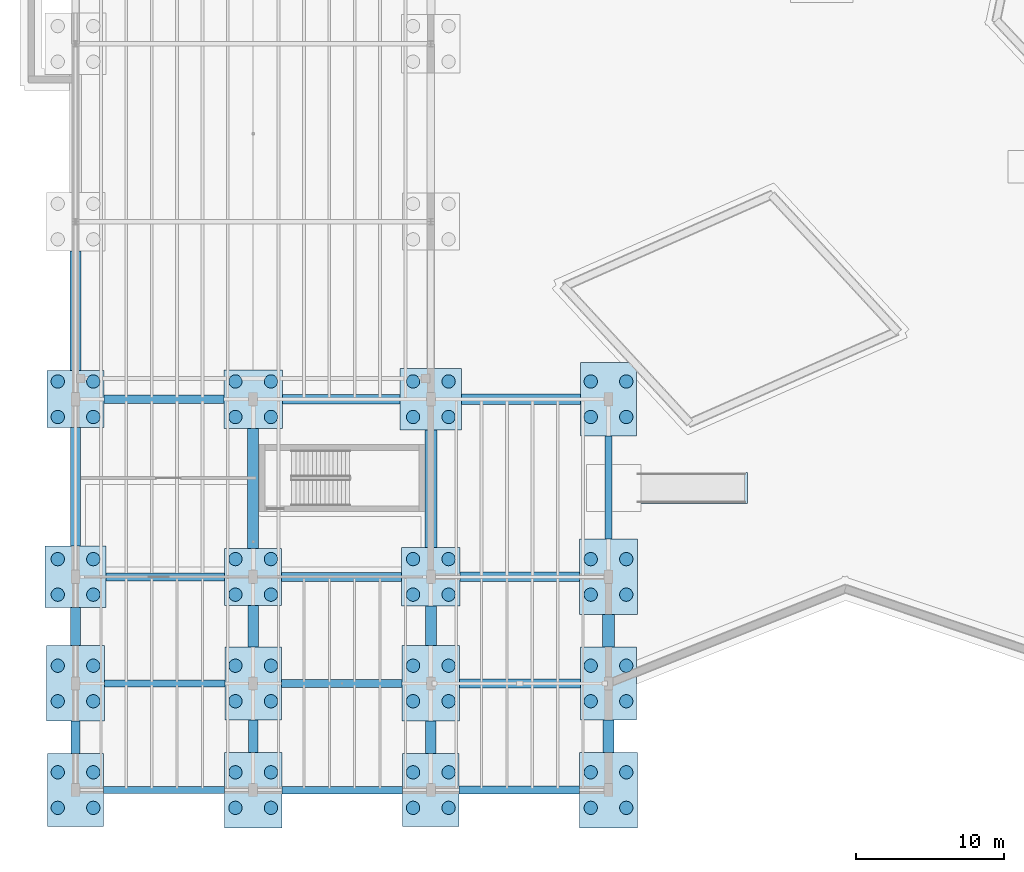
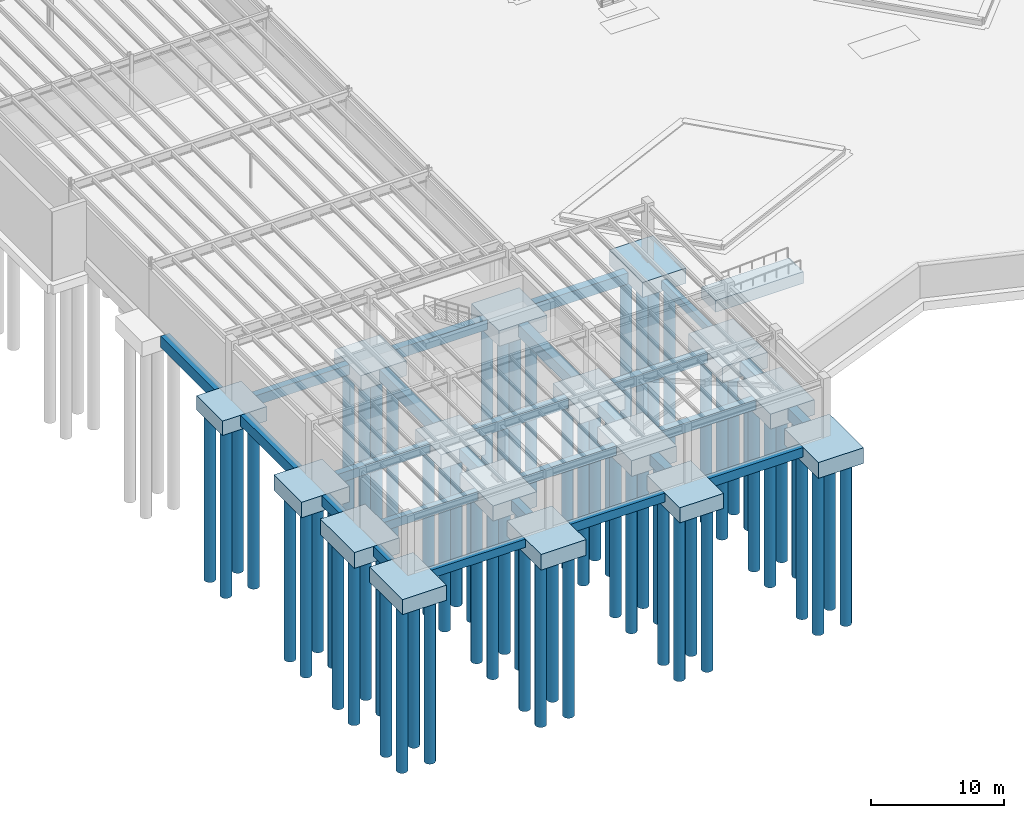
# One storey, part 1 of 67: 64 piles, 42 footings.
"""IFC4 building model written with IfcOpenShell, lengths in metres."""

from ifc_helpers import new_model, si_unit, direction, frame, origin, origin_2d, place, context, subcontext, project, spatial, polyline, rectangle, circle, outline, extrude, material, material_profile, profile_set, type_object, element, save


model = new_model("IFC4")

# Units and contexts
model_context = context("Model", 3, precision=1e-05, world=origin(), true_north=direction((0.0, 1.0)))
body_context = subcontext(model_context, "Body", "Model", "MODEL_VIEW")
ifc_project = project(units=[si_unit("LENGTHUNIT", "METRE"), si_unit("AREAUNIT", "SQUARE_METRE"), si_unit("VOLUMEUNIT", "CUBIC_METRE"), si_unit("PLANEANGLEUNIT", "RADIAN"), si_unit("MASSUNIT", "GRAM", prefix="KILO")], contexts=[model_context])

# Site, building, storey
site_placement = place(None, origin())
site = spatial("IfcSite", under=ifc_project, at=site_placement, CompositionType="ELEMENT")
building_placement = place(site_placement, origin())
building = spatial("IfcBuilding", under=site, at=building_placement, Name="Zlatogorsky Bluff Art Gallery", CompositionType="ELEMENT")
storey_placement = place(building_placement, frame((0.0, 0.0, -5.39990234375)))
storey = spatial("IfcBuildingStorey", under=building, at=storey_placement, Name="B1", CompositionType="ELEMENT", Elevation=-5.39990234375)

# Piles
ifc_material = material(Name="Concrete C35/45", Category="concrete")
ifc_material_profile = material_profile(ifc_material, circle(Radius=0.449951171875, at=origin_2d()), Name="BORED PILE D900")
ifc_profile_set = profile_set([ifc_material_profile], Name="Concrete C35/45")
pile_type = type_object("IfcPileType", Name="Bored Pile D900 C35/45", PredefinedType="BORED", material=ifc_profile_set)
for number, where, z_axis, x_axis, name in (
    (1, (-1.199951171875, -1.199951171875, -1.68017578125), (0.0, 0.0, -1.0), (1.0, 0.0, 0.0), "Bored pile PL-01 00.00.1"),
    (2, (-1.199951171875, 1.199951171875, -1.68017578125), (0.0, 0.0, -1.0), (1.0, 0.0, 0.0), "Bored pile PL-01 00.00.2"),
    (3, (1.199951171875, -1.199951171875, -1.68017578125), (0.0, 0.0, -1.0), (1.0, 0.0, 0.0), "Bored pile PL-01 00.00.3"),
    (4, (1.199951171875, 1.199951171875, -1.68017578125), (0.0, 0.0, -1.0), (1.0, 0.0, 0.0), "Bored pile PL-01 00.00.4"),
):
    element("IfcPile", number, at=place(storey_placement, frame(where, z_axis=z_axis, x_axis=x_axis)), inside=storey, type_object=pile_type, Name=name, PredefinedType="BORED", context=body_context, shape_type="SweptSolid", body=[
        extrude(circle(Radius=0.449951171875, at=origin_2d()), origin(), (0.0, 0.0, 1.0), 15.320068359375),
    ])
for number, where, z_axis, x_axis, name in (
    (5, (-1.199951171875, 6.0, -1.739990234375), (0.0, 0.0, -1.0), (1.0, 0.0, 0.0), "Bored pile PL-01 00.01.1"),
    (6, (-1.199951171875, 8.39990234375, -1.739990234375), (0.0, 0.0, -1.0), (1.0, 0.0, 0.0), "Bored pile PL-01 00.01.2"),
    (7, (1.199951171875, 6.0, -1.739990234375), (0.0, 0.0, -1.0), (1.0, 0.0, 0.0), "Bored pile PL-01 00.01.3"),
    (8, (1.199951171875, 8.39990234375, -1.739990234375), (0.0, 0.0, -1.0), (1.0, 0.0, 0.0), "Bored pile PL-01 00.01.4"),
):
    element("IfcPile", number, at=place(storey_placement, frame(where, z_axis=z_axis, x_axis=x_axis)), inside=storey, type_object=pile_type, Name=name, PredefinedType="BORED", context=body_context, shape_type="SweptSolid", body=[
        extrude(circle(Radius=0.449951171875, at=origin_2d()), origin(), (0.0, 0.0, 1.0), 15.260009765625),
    ])
for number, where, z_axis, x_axis, name in (
    (9, (-1.199951171875, 13.199951171875, -1.72021484375), (0.0, 0.0, -1.0), (1.0, 0.0, 0.0), "Bored pile PL-01 00.02.1"),
    (10, (-1.199951171875, 15.60009765625, -1.72021484375), (0.0, 0.0, -1.0), (1.0, 0.0, 0.0), "Bored pile PL-01 00.02.2"),
    (11, (1.199951171875, 13.199951171875, -1.72021484375), (0.0, 0.0, -1.0), (1.0, 0.0, 0.0), "Bored pile PL-01 00.02.3"),
    (12, (1.199951171875, 15.60009765625, -1.72021484375), (0.0, 0.0, -1.0), (1.0, 0.0, 0.0), "Bored pile PL-01 00.02.4"),
):
    element("IfcPile", number, at=place(storey_placement, frame(where, z_axis=z_axis, x_axis=x_axis)), inside=storey, type_object=pile_type, Name=name, PredefinedType="BORED", context=body_context, shape_type="SweptSolid", body=[
        extrude(circle(Radius=0.449951171875, at=origin_2d()), origin(), (0.0, 0.0, 1.0), 15.280029296875),
    ])
for number, where, z_axis, x_axis, name in (
    (13, (-1.199951171875, 25.199951171875, -1.6201171875), (0.0, 0.0, -1.0), (1.0, 0.0, 0.0), "Bored pile PL-01 00.03.1"),
    (14, (-1.199951171875, 27.60009765625, -1.6201171875), (0.0, 0.0, -1.0), (1.0, 0.0, 0.0), "Bored pile PL-01 00.03.2"),
    (15, (1.199951171875, 25.199951171875, -1.6201171875), (0.0, 0.0, -1.0), (1.0, 0.0, 0.0), "Bored pile PL-01 00.03.3"),
    (16, (1.199951171875, 27.60009765625, -1.6201171875), (0.0, 0.0, -1.0), (1.0, 0.0, 0.0), "Bored pile PL-01 00.03.4"),
):
    element("IfcPile", number, at=place(storey_placement, frame(where, z_axis=z_axis, x_axis=x_axis)), inside=storey, type_object=pile_type, Name=name, PredefinedType="BORED", context=body_context, shape_type="SweptSolid", body=[
        extrude(circle(Radius=0.449951171875, at=origin_2d()), origin(), (0.0, 0.0, 1.0), 15.3798828125),
    ])
for number, where, z_axis, x_axis, name in (
    (17, (10.800048828125, -1.199951171875, -1.739990234375), (0.0, 0.0, -1.0), (1.0, 0.0, 0.0), "Bored pile PL-01 01.00.1"),
    (18, (10.800048828125, 1.199951171875, -1.739990234375), (0.0, 0.0, -1.0), (1.0, 0.0, 0.0), "Bored pile PL-01 01.00.2"),
    (19, (13.199951171875, -1.199951171875, -1.739990234375), (0.0, 0.0, -1.0), (1.0, 0.0, 0.0), "Bored pile PL-01 01.00.3"),
    (20, (13.199951171875, 1.199951171875, -1.739990234375), (0.0, 0.0, -1.0), (1.0, 0.0, 0.0), "Bored pile PL-01 01.00.4"),
):
    element("IfcPile", number, at=place(storey_placement, frame(where, z_axis=z_axis, x_axis=x_axis)), inside=storey, type_object=pile_type, Name=name, PredefinedType="BORED", context=body_context, shape_type="SweptSolid", body=[
        extrude(circle(Radius=0.449951171875, at=origin_2d()), origin(), (0.0, 0.0, 1.0), 15.260009765625),
    ])
for number, where, z_axis, x_axis, name in (
    (21, (10.800048828125, 6.0, -1.68017578125), (0.0, 0.0, -1.0), (1.0, 0.0, 0.0), "Bored pile PL-01 01.01.1"),
    (22, (10.800048828125, 8.39990234375, -1.68017578125), (0.0, 0.0, -1.0), (1.0, 0.0, 0.0), "Bored pile PL-01 01.01.2"),
    (23, (13.199951171875, 6.0, -1.68017578125), (0.0, 0.0, -1.0), (1.0, 0.0, 0.0), "Bored pile PL-01 01.01.3"),
    (24, (13.199951171875, 8.39990234375, -1.68017578125), (0.0, 0.0, -1.0), (1.0, 0.0, 0.0), "Bored pile PL-01 01.01.4"),
):
    element("IfcPile", number, at=place(storey_placement, frame(where, z_axis=z_axis, x_axis=x_axis)), inside=storey, type_object=pile_type, Name=name, PredefinedType="BORED", context=body_context, shape_type="SweptSolid", body=[
        extrude(circle(Radius=0.449951171875, at=origin_2d()), origin(), (0.0, 0.0, 1.0), 15.320068359375),
    ])
for number, where, z_axis, x_axis, name in (
    (25, (10.800048828125, 13.199951171875, -1.6201171875), (0.0, 0.0, -1.0), (1.0, 0.0, 0.0), "Bored pile PL-01 01.02.1"),
    (26, (10.800048828125, 15.60009765625, -1.6201171875), (0.0, 0.0, -1.0), (1.0, 0.0, 0.0), "Bored pile PL-01 01.02.2"),
    (27, (13.199951171875, 13.199951171875, -1.6201171875), (0.0, 0.0, -1.0), (1.0, 0.0, 0.0), "Bored pile PL-01 01.02.3"),
    (28, (13.199951171875, 15.60009765625, -1.6201171875), (0.0, 0.0, -1.0), (1.0, 0.0, 0.0), "Bored pile PL-01 01.02.4"),
):
    element("IfcPile", number, at=place(storey_placement, frame(where, z_axis=z_axis, x_axis=x_axis)), inside=storey, type_object=pile_type, Name=name, PredefinedType="BORED", context=body_context, shape_type="SweptSolid", body=[
        extrude(circle(Radius=0.449951171875, at=origin_2d()), origin(), (0.0, 0.0, 1.0), 15.3798828125),
    ])
for number, where, z_axis, x_axis, name in (
    (29, (10.800048828125, 25.199951171875, -1.66015625), (0.0, 0.0, -1.0), (1.0, 0.0, 0.0), "Bored pile PL-01 01.03.1"),
    (30, (10.800048828125, 27.60009765625, -1.66015625), (0.0, 0.0, -1.0), (1.0, 0.0, 0.0), "Bored pile PL-01 01.03.2"),
    (31, (13.199951171875, 25.199951171875, -1.66015625), (0.0, 0.0, -1.0), (1.0, 0.0, 0.0), "Bored pile PL-01 01.03.3"),
    (32, (13.199951171875, 27.60009765625, -1.66015625), (0.0, 0.0, -1.0), (1.0, 0.0, 0.0), "Bored pile PL-01 01.03.4"),
):
    element("IfcPile", number, at=place(storey_placement, frame(where, z_axis=z_axis, x_axis=x_axis)), inside=storey, type_object=pile_type, Name=name, PredefinedType="BORED", context=body_context, shape_type="SweptSolid", body=[
        extrude(circle(Radius=0.449951171875, at=origin_2d()), origin(), (0.0, 0.0, 1.0), 15.340087890625),
    ])
for number, where, z_axis, x_axis, name in (
    (33, (22.800048828125, -1.199951171875, -1.68017578125), (0.0, 0.0, -1.0), (1.0, 0.0, 0.0), "Bored pile PL-01 02.00.1"),
    (34, (22.800048828125, 1.199951171875, -1.68017578125), (0.0, 0.0, -1.0), (1.0, 0.0, 0.0), "Bored pile PL-01 02.00.2"),
    (35, (25.199951171875, -1.199951171875, -1.68017578125), (0.0, 0.0, -1.0), (1.0, 0.0, 0.0), "Bored pile PL-01 02.00.3"),
    (36, (25.199951171875, 1.199951171875, -1.68017578125), (0.0, 0.0, -1.0), (1.0, 0.0, 0.0), "Bored pile PL-01 02.00.4"),
):
    element("IfcPile", number, at=place(storey_placement, frame(where, z_axis=z_axis, x_axis=x_axis)), inside=storey, type_object=pile_type, Name=name, PredefinedType="BORED", context=body_context, shape_type="SweptSolid", body=[
        extrude(circle(Radius=0.449951171875, at=origin_2d()), origin(), (0.0, 0.0, 1.0), 15.320068359375),
    ])
for number, where, z_axis, x_axis, name in (
    (37, (22.800048828125, 6.0, -1.739990234375), (0.0, 0.0, -1.0), (1.0, 0.0, 0.0), "Bored pile PL-01 02.01.1"),
    (38, (22.800048828125, 8.39990234375, -1.739990234375), (0.0, 0.0, -1.0), (1.0, 0.0, 0.0), "Bored pile PL-01 02.01.2"),
    (39, (25.199951171875, 6.0, -1.739990234375), (0.0, 0.0, -1.0), (1.0, 0.0, 0.0), "Bored pile PL-01 02.01.3"),
    (40, (25.199951171875, 8.39990234375, -1.739990234375), (0.0, 0.0, -1.0), (1.0, 0.0, 0.0), "Bored pile PL-01 02.01.4"),
):
    element("IfcPile", number, at=place(storey_placement, frame(where, z_axis=z_axis, x_axis=x_axis)), inside=storey, type_object=pile_type, Name=name, PredefinedType="BORED", context=body_context, shape_type="SweptSolid", body=[
        extrude(circle(Radius=0.449951171875, at=origin_2d()), origin(), (0.0, 0.0, 1.0), 15.260009765625),
    ])
for number, where, z_axis, x_axis, name in (
    (41, (22.800048828125, 13.199951171875, -1.66015625), (0.0, 0.0, -1.0), (1.0, 0.0, 0.0), "Bored pile PL-01 02.02.1"),
    (42, (22.800048828125, 15.60009765625, -1.66015625), (0.0, 0.0, -1.0), (1.0, 0.0, 0.0), "Bored pile PL-01 02.02.2"),
    (43, (25.199951171875, 13.199951171875, -1.66015625), (0.0, 0.0, -1.0), (1.0, 0.0, 0.0), "Bored pile PL-01 02.02.3"),
    (44, (25.199951171875, 15.60009765625, -1.66015625), (0.0, 0.0, -1.0), (1.0, 0.0, 0.0), "Bored pile PL-01 02.02.4"),
):
    element("IfcPile", number, at=place(storey_placement, frame(where, z_axis=z_axis, x_axis=x_axis)), inside=storey, type_object=pile_type, Name=name, PredefinedType="BORED", context=body_context, shape_type="SweptSolid", body=[
        extrude(circle(Radius=0.449951171875, at=origin_2d()), origin(), (0.0, 0.0, 1.0), 15.340087890625),
    ])
for number, where, z_axis, x_axis, name in (
    (45, (22.800048828125, 25.199951171875, -1.72021484375), (0.0, 0.0, -1.0), (1.0, 0.0, 0.0), "Bored pile PL-01 02.03.1"),
    (46, (22.800048828125, 27.60009765625, -1.72021484375), (0.0, 0.0, -1.0), (1.0, 0.0, 0.0), "Bored pile PL-01 02.03.2"),
    (47, (25.199951171875, 25.199951171875, -1.72021484375), (0.0, 0.0, -1.0), (1.0, 0.0, 0.0), "Bored pile PL-01 02.03.3"),
    (48, (25.199951171875, 27.60009765625, -1.72021484375), (0.0, 0.0, -1.0), (1.0, 0.0, 0.0), "Bored pile PL-01 02.03.4"),
):
    element("IfcPile", number, at=place(storey_placement, frame(where, z_axis=z_axis, x_axis=x_axis)), inside=storey, type_object=pile_type, Name=name, PredefinedType="BORED", context=body_context, shape_type="SweptSolid", body=[
        extrude(circle(Radius=0.449951171875, at=origin_2d()), origin(), (0.0, 0.0, 1.0), 15.280029296875),
    ])
for number, where, z_axis, x_axis, name in (
    (49, (34.800048828125, -1.199951171875, -1.739990234375), (0.0, 0.0, -1.0), (1.0, 0.0, 0.0), "Bored pile PL-01 03.00.1"),
    (50, (34.800048828125, 1.199951171875, -1.739990234375), (0.0, 0.0, -1.0), (1.0, 0.0, 0.0), "Bored pile PL-01 03.00.2"),
    (51, (37.199951171875, -1.199951171875, -1.739990234375), (0.0, 0.0, -1.0), (1.0, 0.0, 0.0), "Bored pile PL-01 03.00.3"),
    (52, (37.199951171875, 1.199951171875, -1.739990234375), (0.0, 0.0, -1.0), (1.0, 0.0, 0.0), "Bored pile PL-01 03.00.4"),
):
    element("IfcPile", number, at=place(storey_placement, frame(where, z_axis=z_axis, x_axis=x_axis)), inside=storey, type_object=pile_type, Name=name, PredefinedType="BORED", context=body_context, shape_type="SweptSolid", body=[
        extrude(circle(Radius=0.449951171875, at=origin_2d()), origin(), (0.0, 0.0, 1.0), 15.260009765625),
    ])
for number, where, z_axis, x_axis, name in (
    (53, (34.800048828125, 6.0, -1.68017578125), (0.0, 0.0, -1.0), (1.0, 0.0, 0.0), "Bored pile PL-01 03.01.1"),
    (54, (34.800048828125, 8.39990234375, -1.68017578125), (0.0, 0.0, -1.0), (1.0, 0.0, 0.0), "Bored pile PL-01 03.01.2"),
    (55, (37.199951171875, 6.0, -1.68017578125), (0.0, 0.0, -1.0), (1.0, 0.0, 0.0), "Bored pile PL-01 03.01.3"),
    (56, (37.199951171875, 8.39990234375, -1.68017578125), (0.0, 0.0, -1.0), (1.0, 0.0, 0.0), "Bored pile PL-01 03.01.4"),
):
    element("IfcPile", number, at=place(storey_placement, frame(where, z_axis=z_axis, x_axis=x_axis)), inside=storey, type_object=pile_type, Name=name, PredefinedType="BORED", context=body_context, shape_type="SweptSolid", body=[
        extrude(circle(Radius=0.449951171875, at=origin_2d()), origin(), (0.0, 0.0, 1.0), 15.320068359375),
    ])
for number, where, z_axis, x_axis, name in (
    (57, (34.800048828125, 13.199951171875, -1.739990234375), (0.0, 0.0, -1.0), (1.0, 0.0, 0.0), "Bored pile PL-01 03.02.1"),
    (58, (34.800048828125, 15.60009765625, -1.739990234375), (0.0, 0.0, -1.0), (1.0, 0.0, 0.0), "Bored pile PL-01 03.02.2"),
    (59, (37.199951171875, 13.199951171875, -1.739990234375), (0.0, 0.0, -1.0), (1.0, 0.0, 0.0), "Bored pile PL-01 03.02.3"),
    (60, (37.199951171875, 15.60009765625, -1.739990234375), (0.0, 0.0, -1.0), (1.0, 0.0, 0.0), "Bored pile PL-01 03.02.4"),
):
    element("IfcPile", number, at=place(storey_placement, frame(where, z_axis=z_axis, x_axis=x_axis)), inside=storey, type_object=pile_type, Name=name, PredefinedType="BORED", context=body_context, shape_type="SweptSolid", body=[
        extrude(circle(Radius=0.449951171875, at=origin_2d()), origin(), (0.0, 0.0, 1.0), 15.260009765625),
    ])
for number, where, z_axis, x_axis, name in (
    (61, (34.800048828125, 25.199951171875, -1.280029296875), (0.0, 0.0, -1.0), (1.0, 0.0, 0.0), "Bored pile PL-01 03.03.1"),
    (62, (34.800048828125, 27.60009765625, -1.280029296875), (0.0, 0.0, -1.0), (1.0, 0.0, 0.0), "Bored pile PL-01 03.03.2"),
    (63, (37.199951171875, 25.199951171875, -1.280029296875), (0.0, 0.0, -1.0), (1.0, 0.0, 0.0), "Bored pile PL-01 03.03.3"),
    (64, (37.199951171875, 27.60009765625, -1.280029296875), (0.0, 0.0, -1.0), (1.0, 0.0, 0.0), "Bored pile PL-01 03.03.4"),
):
    element("IfcPile", number, at=place(storey_placement, frame(where, z_axis=z_axis, x_axis=x_axis)), inside=storey, type_object=pile_type, Name=name, PredefinedType="BORED", context=body_context, shape_type="SweptSolid", body=[
        extrude(circle(Radius=0.449951171875, at=origin_2d()), origin(), (0.0, 0.0, 1.0), 15.719970703125),
    ])

# Footings
footing_type_1 = type_object("IfcFootingType", Name="Foundation FB-01 450x750", PredefinedType="FOOTING_BEAM", material=ifc_material)
footing_1_placement = place(storey_placement, frame((0.0, 0.0, -1.150146484375)))
element("IfcFooting", 65, at=footing_1_placement, inside=storey, type_object=footing_type_1, Name="Ground tie beam FB-01 A-B/1", PredefinedType="FOOTING_BEAM", context=body_context, shape_type="SweptSolid", body=[
    extrude(outline(polyline([(1.89990234375, -0.22509765625), (10.050048828125, -0.22509765625), (10.050048828125, 0.22509765625), (1.89990234375, 0.22509765625), (1.89990234375, -0.22509765625)])), origin(), (0.0, 0.0, 1.0), 0.75),
])
footing_2_placement = place(storey_placement, frame((0.0, 0.0, -1.150146484375)))
element("IfcFooting", 66, at=footing_2_placement, inside=storey, type_object=footing_type_1, Name="Ground tie beam FB-01 D/3-4", PredefinedType="FOOTING_BEAM", context=body_context, shape_type="SweptSolid", body=[
    extrude(outline(polyline([(35.77490234375, 16.949951171875), (36.22509765625, 16.949951171875), (36.22509765625, 23.925048828125), (35.77490234375, 23.925048828125), (35.77490234375, 16.949951171875)])), origin(), (0.0, 0.0, 1.0), 0.75),
])
footing_type_2 = type_object("IfcFootingType", Name="Foundation FB-02 500x800", PredefinedType="FOOTING_BEAM", material=ifc_material)
footing_3_placement = place(storey_placement, frame((0.0, 0.0, -1.2001953125)))
element("IfcFooting", 67, at=footing_3_placement, inside=storey, type_object=footing_type_2, Name="Ground tie beam FB-02 A-B/2", PredefinedType="FOOTING_BEAM", context=body_context, shape_type="SweptSolid", body=[
    extrude(outline(polyline([(1.949951171875, 6.949951171875), (10.10009765625, 6.949951171875), (10.10009765625, 7.449951171875), (1.949951171875, 7.449951171875), (1.949951171875, 6.949951171875)])), origin(), (0.0, 0.0, 1.0), 0.800048828125),
])
footing_4_placement = place(storey_placement, frame((0.0, 0.0, -1.2001953125)))
element("IfcFooting", 68, at=footing_4_placement, inside=storey, type_object=footing_type_2, Name="Ground tie beam FB-02 B-C/1", PredefinedType="FOOTING_BEAM", context=body_context, shape_type="SweptSolid", body=[
    extrude(outline(polyline([(13.949951171875, -0.25), (22.10009765625, -0.25), (22.10009765625, 0.25), (13.949951171875, 0.25), (13.949951171875, -0.25)])), origin(), (0.0, 0.0, 1.0), 0.800048828125),
])
footing_type_3 = type_object("IfcFootingType", Name="Foundation FB-03 550x850", PredefinedType="FOOTING_BEAM", material=ifc_material)
footing_5_placement = place(storey_placement, frame((0.0, 0.0, -1.25)))
element("IfcFooting", 69, at=footing_5_placement, inside=storey, type_object=footing_type_3, Name="Ground tie beam FB-03 A-B/3", PredefinedType="FOOTING_BEAM", context=body_context, shape_type="SweptSolid", body=[
    extrude(outline(polyline([(2.074951171875, 14.125), (10.074951171875, 14.125), (10.074951171875, 14.675048828125), (2.074951171875, 14.675048828125), (2.074951171875, 14.125)])), origin(), (0.0, 0.0, 1.0), 0.849853515625),
])
footing_6_placement = place(storey_placement, frame((0.0, 0.0, -1.25)))
element("IfcFooting", 70, at=footing_6_placement, inside=storey, type_object=footing_type_3, Name="Ground tie beam FB-03 B-C/2", PredefinedType="FOOTING_BEAM", context=body_context, shape_type="SweptSolid", body=[
    extrude(outline(polyline([(13.89990234375, 6.925048828125), (22.050048828125, 6.925048828125), (22.050048828125, 7.47509765625), (13.89990234375, 7.47509765625), (13.89990234375, 6.925048828125)])), origin(), (0.0, 0.0, 1.0), 0.849853515625),
])
footing_7_placement = place(storey_placement, frame((0.0, 0.0, -1.25)))
element("IfcFooting", 71, at=footing_7_placement, inside=storey, type_object=footing_type_3, Name="Ground tie beam FB-03 C-D/1", PredefinedType="FOOTING_BEAM", context=body_context, shape_type="SweptSolid", body=[
    extrude(outline(polyline([(25.89990234375, -0.27490234375), (34.050048828125, -0.27490234375), (34.050048828125, 0.27490234375), (25.89990234375, 0.27490234375), (25.89990234375, -0.27490234375)])), origin(), (0.0, 0.0, 1.0), 0.849853515625),
])
footing_type_4 = type_object("IfcFootingType", Name="Foundation FB-04 600x900", PredefinedType="FOOTING_BEAM", material=ifc_material)
footing_8_placement = place(storey_placement, frame((0.0, 0.0, -1.300048828125)))
element("IfcFooting", 72, at=footing_8_placement, inside=storey, type_object=footing_type_4, Name="Ground tie beam FB-04 A/1-2", PredefinedType="FOOTING_BEAM", context=body_context, shape_type="SweptSolid", body=[
    extrude(outline(polyline([(-0.300048828125, 2.47509765625), (0.300048828125, 2.47509765625), (0.300048828125, 4.64990234375), (-0.300048828125, 4.64990234375), (-0.300048828125, 2.47509765625)])), origin(), (0.0, 0.0, 1.0), 0.89990234375),
])
footing_9_placement = place(storey_placement, frame((0.0, 0.0, -1.300048828125)))
element("IfcFooting", 73, at=footing_9_placement, inside=storey, type_object=footing_type_4, Name="Ground tie beam FB-04 A-B/4", PredefinedType="FOOTING_BEAM", context=body_context, shape_type="SweptSolid", body=[
    extrude(outline(polyline([(1.925048828125, 26.10009765625), (10.02490234375, 26.10009765625), (10.02490234375, 26.699951171875), (1.925048828125, 26.699951171875), (1.925048828125, 26.10009765625)])), origin(), (0.0, 0.0, 1.0), 0.89990234375),
])
footing_10_placement = place(storey_placement, frame((0.0, 0.0, -1.300048828125)))
element("IfcFooting", 74, at=footing_10_placement, inside=storey, type_object=footing_type_4, Name="Ground tie beam FB-04 B-C/3", PredefinedType="FOOTING_BEAM", context=body_context, shape_type="SweptSolid", body=[
    extrude(outline(polyline([(13.925048828125, 14.10009765625), (22.02490234375, 14.10009765625), (22.02490234375, 14.699951171875), (13.925048828125, 14.699951171875), (13.925048828125, 14.10009765625)])), origin(), (0.0, 0.0, 1.0), 0.89990234375),
])
footing_11_placement = place(storey_placement, frame((0.0, 0.0, -1.300048828125)))
element("IfcFooting", 75, at=footing_11_placement, inside=storey, type_object=footing_type_4, Name="Ground tie beam FB-04 C-D/2", PredefinedType="FOOTING_BEAM", context=body_context, shape_type="SweptSolid", body=[
    extrude(outline(polyline([(25.949951171875, 6.89990234375), (34.10009765625, 6.89990234375), (34.10009765625, 7.5), (25.949951171875, 7.5), (25.949951171875, 6.89990234375)])), origin(), (0.0, 0.0, 1.0), 0.89990234375),
])
footing_type_5 = type_object("IfcFootingType", Name="Foundation FB-05 650x950", PredefinedType="FOOTING_BEAM", material=ifc_material)
footing_12_placement = place(storey_placement, frame((0.0, 0.0, -1.35009765625)))
element("IfcFooting", 76, at=footing_12_placement, inside=storey, type_object=footing_type_5, Name="Ground tie beam FB-05 A/2-3", PredefinedType="FOOTING_BEAM", context=body_context, shape_type="SweptSolid", body=[
    extrude(outline(polyline([(-0.324951171875, 9.75), (0.324951171875, 9.75), (0.324951171875, 12.324951171875), (-0.324951171875, 12.324951171875), (-0.324951171875, 9.75)])), origin(), (0.0, 0.0, 1.0), 0.949951171875),
])
footing_13_placement = place(storey_placement, frame((0.0, 0.0, -1.35009765625)))
element("IfcFooting", 77, at=footing_13_placement, inside=storey, type_object=footing_type_5, Name="Ground tie beam FB-05 B/1-2", PredefinedType="FOOTING_BEAM", context=body_context, shape_type="SweptSolid", body=[
    extrude(outline(polyline([(11.675048828125, 2.550048828125), (12.324951171875, 2.550048828125), (12.324951171875, 4.72509765625), (11.675048828125, 4.72509765625), (11.675048828125, 2.550048828125)])), origin(), (0.0, 0.0, 1.0), 0.949951171875),
])
footing_14_placement = place(storey_placement, frame((0.0, 0.0, -1.35009765625)))
element("IfcFooting", 78, at=footing_14_placement, inside=storey, type_object=footing_type_5, Name="Ground tie beam FB-05 B-C/4", PredefinedType="FOOTING_BEAM", context=body_context, shape_type="SweptSolid", body=[
    extrude(outline(polyline([(13.97509765625, 26.074951171875), (21.925048828125, 26.074951171875), (21.925048828125, 26.72509765625), (13.97509765625, 26.72509765625), (13.97509765625, 26.074951171875)])), origin(), (0.0, 0.0, 1.0), 0.949951171875),
])
footing_15_placement = place(storey_placement, frame((0.0, 0.0, -1.35009765625)))
element("IfcFooting", 79, at=footing_15_placement, inside=storey, type_object=footing_type_5, Name="Ground tie beam FB-05 C-D/3", PredefinedType="FOOTING_BEAM", context=body_context, shape_type="SweptSolid", body=[
    extrude(outline(polyline([(25.97509765625, 14.074951171875), (34.050048828125, 14.074951171875), (34.050048828125, 14.72509765625), (25.97509765625, 14.72509765625), (25.97509765625, 14.074951171875)])), origin(), (0.0, 0.0, 1.0), 0.949951171875),
])
footing_type_6 = type_object("IfcFootingType", Name="Foundation FB-06 700x1000", PredefinedType="FOOTING_BEAM", material=ifc_material)
footing_16_placement = place(storey_placement, frame((0.0, 0.0, -1.400146484375)))
element("IfcFooting", 80, at=footing_16_placement, inside=storey, type_object=footing_type_6, Name="Ground tie beam FB-06 A/3-4", PredefinedType="FOOTING_BEAM", context=body_context, shape_type="SweptSolid", body=[
    extrude(outline(polyline([(-0.35009765625, 16.47509765625), (0.35009765625, 16.47509765625), (0.35009765625, 24.47509765625), (-0.35009765625, 24.47509765625), (-0.35009765625, 16.47509765625)])), origin(), (0.0, 0.0, 1.0), 1.0),
])
footing_17_placement = place(storey_placement, frame((0.0, 0.0, -1.400146484375)))
element("IfcFooting", 81, at=footing_17_placement, inside=storey, type_object=footing_type_6, Name="Ground tie beam FB-06 B/2-3", PredefinedType="FOOTING_BEAM", context=body_context, shape_type="SweptSolid", body=[
    extrude(outline(polyline([(11.64990234375, 9.675048828125), (12.35009765625, 9.675048828125), (12.35009765625, 12.47509765625), (11.64990234375, 12.47509765625), (11.64990234375, 9.675048828125)])), origin(), (0.0, 0.0, 1.0), 1.0),
])
footing_18_placement = place(storey_placement, frame((0.0, 0.0, -1.400146484375)))
element("IfcFooting", 82, at=footing_18_placement, inside=storey, type_object=footing_type_6, Name="Ground tie beam FB-06 C/1-2", PredefinedType="FOOTING_BEAM", context=body_context, shape_type="SweptSolid", body=[
    extrude(outline(polyline([(23.64990234375, 2.47509765625), (24.35009765625, 2.47509765625), (24.35009765625, 4.64990234375), (23.64990234375, 4.64990234375), (23.64990234375, 2.47509765625)])), origin(), (0.0, 0.0, 1.0), 1.0),
])
footing_19_placement = place(storey_placement, frame((0.0, 0.0, -1.400146484375)))
element("IfcFooting", 83, at=footing_19_placement, inside=storey, type_object=footing_type_6, Name="Ground tie beam FB-06 C-D/4", PredefinedType="FOOTING_BEAM", context=body_context, shape_type="SweptSolid", body=[
    extrude(outline(polyline([(26.074951171875, 26.050048828125), (34.10009765625, 26.050048828125), (34.10009765625, 26.75), (26.074951171875, 26.75), (26.074951171875, 26.050048828125)])), origin(), (0.0, 0.0, 1.0), 1.0),
])
footing_type_7 = type_object("IfcFootingType", Name="Foundation FB-07 750x1050", PredefinedType="FOOTING_BEAM", material=ifc_material)
footing_20_placement = place(storey_placement, frame((0.0, 0.0, -1.4501953125)))
element("IfcFooting", 84, at=footing_20_placement, inside=storey, type_object=footing_type_7, Name="Ground tie beam FB-07 A/4-5", PredefinedType="FOOTING_BEAM", context=body_context, shape_type="SweptSolid", body=[
    extrude(outline(polyline([(-0.375, 28.324951171875), (0.375, 28.324951171875), (0.375, 36.425048828125), (-0.375, 36.425048828125), (-0.375, 28.324951171875)])), origin(), (0.0, 0.0, 1.0), 1.050048828125),
])
footing_21_placement = place(storey_placement, frame((0.0, 0.0, -1.4501953125)))
element("IfcFooting", 85, at=footing_21_placement, inside=storey, type_object=footing_type_7, Name="Ground tie beam FB-07 B/3-4", PredefinedType="FOOTING_BEAM", context=body_context, shape_type="SweptSolid", body=[
    extrude(outline(polyline([(11.625, 16.324951171875), (12.375, 16.324951171875), (12.375, 24.425048828125), (11.625, 24.425048828125), (11.625, 16.324951171875)])), origin(), (0.0, 0.0, 1.0), 1.050048828125),
])
footing_22_placement = place(storey_placement, frame((0.0, 0.0, -1.4501953125)))
element("IfcFooting", 86, at=footing_22_placement, inside=storey, type_object=footing_type_7, Name="Ground tie beam FB-07 C/2-3", PredefinedType="FOOTING_BEAM", context=body_context, shape_type="SweptSolid", body=[
    extrude(outline(polyline([(23.625, 9.75), (24.375, 9.75), (24.375, 12.425048828125), (23.625, 12.425048828125), (23.625, 9.75)])), origin(), (0.0, 0.0, 1.0), 1.050048828125),
])
footing_23_placement = place(storey_placement, frame((0.0, 0.0, -1.4501953125)))
element("IfcFooting", 87, at=footing_23_placement, inside=storey, type_object=footing_type_7, Name="Ground tie beam FB-07 D/1-2", PredefinedType="FOOTING_BEAM", context=body_context, shape_type="SweptSolid", body=[
    extrude(outline(polyline([(35.625, 2.550048828125), (36.375, 2.550048828125), (36.375, 4.72509765625), (35.625, 4.72509765625), (35.625, 2.550048828125)])), origin(), (0.0, 0.0, 1.0), 1.050048828125),
])
footing_type_8 = type_object("IfcFootingType", Name="Foundation FB-08 800x1100", PredefinedType="FOOTING_BEAM", material=ifc_material)
footing_24_placement = place(storey_placement, frame((0.0, 0.0, -1.5)))
element("IfcFooting", 88, at=footing_24_placement, inside=storey, type_object=footing_type_8, Name="Ground tie beam FB-08 C/3-4", PredefinedType="FOOTING_BEAM", context=body_context, shape_type="SweptSolid", body=[
    extrude(outline(polyline([(23.60009765625, 16.375), (24.39990234375, 16.375), (24.39990234375, 24.324951171875), (23.60009765625, 24.324951171875), (23.60009765625, 16.375)])), origin(), (0.0, 0.0, 1.0), 1.099853515625),
])
footing_25_placement = place(storey_placement, frame((0.0, 0.0, -1.5)))
element("IfcFooting", 89, at=footing_25_placement, inside=storey, type_object=footing_type_8, Name="Ground tie beam FB-08 D/2-3", PredefinedType="FOOTING_BEAM", context=body_context, shape_type="SweptSolid", body=[
    extrude(outline(polyline([(35.60009765625, 9.675048828125), (36.39990234375, 9.675048828125), (36.39990234375, 11.85009765625), (35.60009765625, 11.85009765625), (35.60009765625, 9.675048828125)])), origin(), (0.0, 0.0, 1.0), 1.099853515625),
])
footing_type_9 = type_object("IfcFootingType", Name="Pad Footing PF-12 2650x1900x850", PredefinedType="PAD_FOOTING", material=ifc_material)
footing_26_placement = place(storey_placement, frame((0.0, 0.0, -1.25)))
element("IfcFooting", 90, at=footing_26_placement, inside=storey, type_object=footing_type_9, Name="Sunken court ramp foundation pad 5", PredefinedType="PAD_FOOTING", context=body_context, shape_type="SweptSolid", body=[
    extrude(outline(polyline([(37.800048828125, 19.35009765625), (45.39990234375, 19.35009765625), (45.39990234375, 21.449951171875), (37.800048828125, 21.449951171875), (37.800048828125, 19.35009765625)])), origin(), (0.0, 0.0, 1.0), 1.06982421875),
])
footing_type_10 = type_object("IfcFootingType", Name="Pile Cap PC-09 3850x3850x1320", PredefinedType="PILE_CAP", material=ifc_material)
for number, where, z_axis, x_axis, name in (
    (91, (0.0, 26.39990234375, -1.72021484375), (0.0, 0.0, 1.0), (1.0, 0.0, 0.0), "Pile cap PC-09 at A4"),
    (92, (12.0, 14.39990234375, -1.72021484375), (0.0, 0.0, 1.0), (1.0, 0.0, 0.0), "Pile cap PC-09 at B3"),
):
    element("IfcFooting", number, at=place(storey_placement, frame(where, z_axis=z_axis, x_axis=x_axis)), inside=storey, type_object=footing_type_10, Name=name, PredefinedType="PILE_CAP", context=body_context, shape_type="SweptSolid", body=[
        extrude(rectangle(XDim=3.85009765625, YDim=3.85009765625, at=origin_2d()), origin(), (0.0, 0.0, 1.0), 1.320068359375),
    ])
footing_type_11 = type_object("IfcFootingType", Name="Pile Cap PC-10 3950x3950x1360", PredefinedType="PILE_CAP", material=ifc_material)
for number, where, z_axis, x_axis, name in (
    (93, (12.0, 26.39990234375, -1.76025390625), (0.0, 0.0, 1.0), (1.0, 0.0, 0.0), "Pile cap PC-10 at B4"),
    (94, (24.0, 14.39990234375, -1.76025390625), (0.0, 0.0, 1.0), (1.0, 0.0, 0.0), "Pile cap PC-10 at C3"),
):
    element("IfcFooting", number, at=place(storey_placement, frame(where, z_axis=z_axis, x_axis=x_axis)), inside=storey, type_object=footing_type_11, Name=name, PredefinedType="PILE_CAP", context=body_context, shape_type="SweptSolid", body=[
        extrude(rectangle(XDim=3.949951171875, YDim=3.949951171875, at=origin_2d()), origin(), (0.0, 0.0, 1.0), 1.360107421875),
    ])
footing_type_12 = type_object("IfcFootingType", Name="Pile Cap PC-11 4150x4150x1420", PredefinedType="PILE_CAP", material=ifc_material)
for number, where, z_axis, x_axis, name in (
    (95, (0.0, 14.39990234375, -1.820068359375), (0.0, 0.0, 1.0), (1.0, 0.0, 0.0), "Pile cap PC-11 at A3"),
    (96, (24.0, 26.39990234375, -1.820068359375), (0.0, 0.0, 1.0), (1.0, 0.0, 0.0), "Pile cap PC-11 at C4"),
):
    element("IfcFooting", number, at=place(storey_placement, frame(where, z_axis=z_axis, x_axis=x_axis)), inside=storey, type_object=footing_type_12, Name=name, PredefinedType="PILE_CAP", context=body_context, shape_type="SweptSolid", body=[
        extrude(rectangle(XDim=4.14990234375, YDim=4.14990234375, at=origin_2d()), origin(), (0.0, 0.0, 1.0), 1.419921875),
    ])
footing_type_13 = type_object("IfcFootingType", Name="Pile Cap PC-12 3800x4950x1380", PredefinedType="PILE_CAP", material=ifc_material)
for number, where, z_axis, x_axis, name in (
    (97, (0.0, 0.0, -1.780029296875), (0.0, 0.0, 1.0), (1.0, 0.0, 0.0), "Pile cap PC-12 at A1"),
    (98, (12.0, 7.199951171875, -1.780029296875), (0.0, 0.0, 1.0), (1.0, 0.0, 0.0), "Pile cap PC-12 at B2"),
    (99, (24.0, 0.0, -1.780029296875), (0.0, 0.0, 1.0), (1.0, 0.0, 0.0), "Pile cap PC-12 at C1"),
    (100, (36.0, 7.199951171875, -1.780029296875), (0.0, 0.0, 1.0), (1.0, 0.0, 0.0), "Pile cap PC-12 at D2"),
    (101, (36.0, 26.39990234375, -1.380126953125), (0.0, 0.0, 1.0), (1.0, 0.0, 0.0), "Pile cap PC-12 at D4"),
):
    element("IfcFooting", number, at=place(storey_placement, frame(where, z_axis=z_axis, x_axis=x_axis)), inside=storey, type_object=footing_type_13, Name=name, PredefinedType="PILE_CAP", context=body_context, shape_type="SweptSolid", body=[
        extrude(rectangle(XDim=3.800048828125, YDim=4.949951171875, at=origin_2d()), origin(), (0.0, 0.0, 1.0), 1.3798828125),
    ])
footing_type_14 = type_object("IfcFootingType", Name="Pile Cap PC-13 3900x5100x1440", PredefinedType="PILE_CAP", material=ifc_material)
for number, where, z_axis, x_axis, name in (
    (102, (0.0, 7.199951171875, -1.840087890625), (0.0, 0.0, 1.0), (1.0, 0.0, 0.0), "Pile cap PC-13 at A2"),
    (103, (12.0, 0.0, -1.840087890625), (0.0, 0.0, 1.0), (1.0, 0.0, 0.0), "Pile cap PC-13 at B1"),
    (104, (24.0, 7.199951171875, -1.840087890625), (0.0, 0.0, 1.0), (1.0, 0.0, 0.0), "Pile cap PC-13 at C2"),
    (105, (36.0, 0.0, -1.840087890625), (0.0, 0.0, 1.0), (1.0, 0.0, 0.0), "Pile cap PC-13 at D1"),
    (106, (36.0, 14.39990234375, -1.840087890625), (0.0, 0.0, 1.0), (1.0, 0.0, 0.0), "Pile cap PC-13 at D3"),
):
    element("IfcFooting", number, at=place(storey_placement, frame(where, z_axis=z_axis, x_axis=x_axis)), inside=storey, type_object=footing_type_14, Name=name, PredefinedType="PILE_CAP", context=body_context, shape_type="SweptSolid", body=[
        extrude(rectangle(XDim=3.89990234375, YDim=5.10009765625, at=origin_2d()), origin(), (0.0, 0.0, 1.0), 1.43994140625),
    ])

save(model, "model.ifc")
